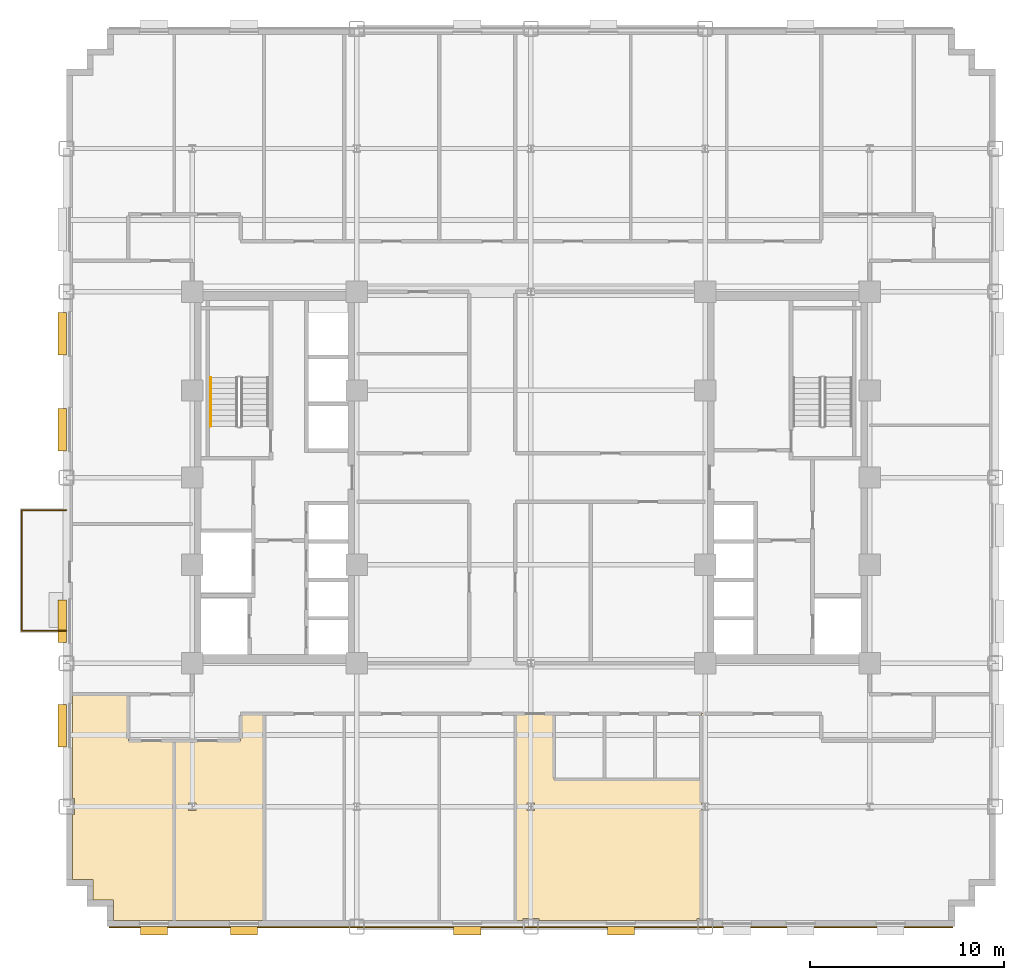
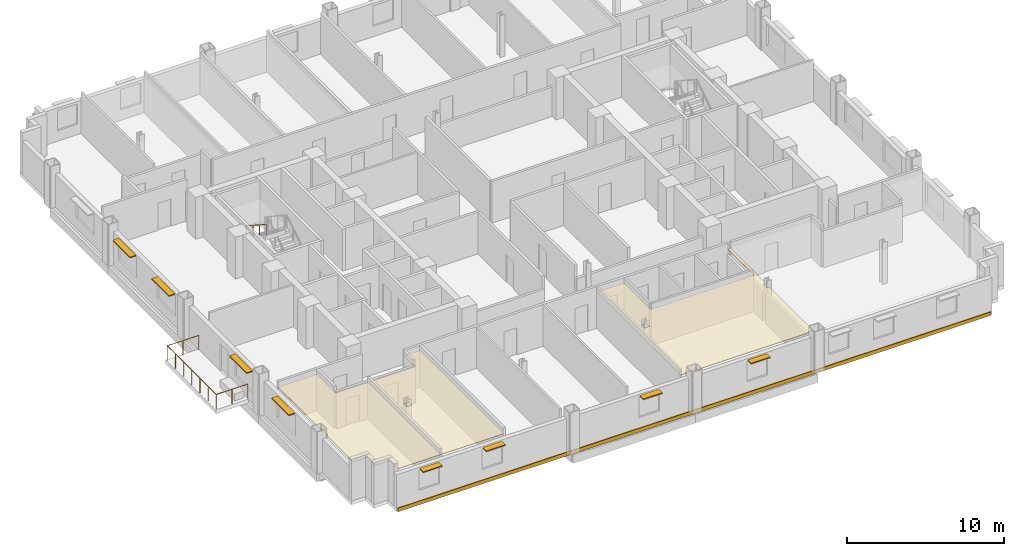
# One storey, part 11 of 14: 8 shading devices, 4 coverings, 2 railings.
"""IFC4 building model written with IfcOpenShell, lengths in metres."""

from ifc_helpers import new_model, si_unit, direction, frame, origin, origin_2d, place, context, subcontext, project, spatial, polyline, rectangle, circle, outline, extrude, source, transform, mapped, material, layer, layer_set, type_object, type_shapes, element, save


model = new_model("IFC4")

# Units and contexts
model_context = context("Model", 3, precision=1e-05, world=origin(), true_north=direction((0.0, 1.0)))
body_context = subcontext(model_context, "Body", "Model", "MODEL_VIEW")
ifc_project = project(units=[si_unit("LENGTHUNIT", "METRE"), si_unit("AREAUNIT", "SQUARE_METRE"), si_unit("VOLUMEUNIT", "CUBIC_METRE"), si_unit("PLANEANGLEUNIT", "RADIAN"), si_unit("MASSUNIT", "GRAM", prefix="KILO")], contexts=[model_context])

# Site, building, storey
site_placement = place(None, origin())
site = spatial("IfcSite", under=ifc_project, at=site_placement, CompositionType="ELEMENT")
building_placement = place(site_placement, origin())
building = spatial("IfcBuilding", under=site, at=building_placement, Name="Nuvemarco Arch Tower", CompositionType="ELEMENT")
storey_placement = place(building_placement, frame((0.0, 0.0, 89.64990234375)))
storey = spatial("IfcBuildingStorey", under=building, at=storey_placement, Name="L23", CompositionType="ELEMENT", Elevation=89.64990234375)

# Coverings
ifc_material_1 = material(Name="Mineral acoustic ceiling tile")
ifc_layer_1 = layer(ifc_material_1, 0.0400390625, Name="COV-ACOUSTIC-CLG")
ifc_layer_set_1 = layer_set([ifc_layer_1], Name="Mineral acoustic ceiling tile")
covering_type_1 = type_object("IfcCoveringType", Name="COV-ACOUSTIC-CLG", PredefinedType="CEILING", material=ifc_layer_set_1)
covering_1_placement = place(storey_placement, frame((0.0, 0.0, 2.72998046875)))
element("IfcCovering", 1, at=covering_1_placement, inside=storey, type_object=covering_type_1, Name="L23 suspended acoustic ceiling 2", PredefinedType="CEILING", context=body_context, shape_type="SweptSolid", body=[
    extrude(outline(polyline([(3.800048828125, -15.60009765625), (6.39990234375, -15.60009765625), (8.800048828125, -15.60009765625), (8.800048828125, -12.199951171875), (9.0, -12.199951171875), (9.0, -16.804931640625), (8.804931640625, -16.804931640625), (8.804931640625, -17.195068359375), (9.0, -17.195068359375), (9.0, -22.784912109375), (8.5849609375, -22.784912109375), (8.5849609375, -22.8798828125), (0.4150390625, -22.8798828125), (0.4150390625, -22.784912109375), (-0.4150390625, -22.784912109375), (-0.4150390625, -22.8798828125), (-0.800048828125, -22.8798828125), (-0.800048828125, -12.199951171875), (1.199951171875, -12.199951171875), (1.199951171875, -15.60009765625), (3.800048828125, -15.60009765625)]), holes=[polyline([(0.195068359375, -17.195068359375), (0.195068359375, -16.804931640625), (-0.195068359375, -16.804931640625), (-0.195068359375, -17.195068359375), (0.195068359375, -17.195068359375)])]), origin(), (0.0, 0.0, 1.0), 0.0400390625),
])
covering_2_placement = place(storey_placement, frame((0.0, 0.0, 2.72998046875)))
element("IfcCovering", 2, at=covering_2_placement, inside=storey, type_object=covering_type_1, Name="L23 suspended acoustic ceiling 4", PredefinedType="CEILING", context=body_context, shape_type="SweptSolid", body=[
    extrude(outline(polyline([(-23.679931640625, -20.780029296875), (-23.679931640625, -17.4150390625), (-23.5849609375, -17.4150390625), (-23.5849609375, -16.5849609375), (-23.679931640625, -16.5849609375), (-23.679931640625, -11.199951171875), (-20.800048828125, -11.199951171875), (-20.800048828125, -13.60009765625), (-18.429931640625, -13.60009765625), (-18.429931640625, -22.8798828125), (-21.580078125, -22.8798828125), (-21.580078125, -21.830078125), (-22.6298828125, -21.830078125), (-22.6298828125, -20.780029296875), (-23.679931640625, -20.780029296875)])), origin(), (0.0, 0.0, 1.0), 0.0400390625),
])
covering_3_placement = place(storey_placement, frame((0.0, 0.0, 2.72998046875)))
element("IfcCovering", 3, at=covering_3_placement, inside=storey, type_object=covering_type_1, Name="L23 suspended acoustic ceiling 7", PredefinedType="CEILING", context=body_context, shape_type="SweptSolid", body=[
    extrude(outline(polyline([(-13.7900390625, -12.199951171875), (-13.7900390625, -22.8798828125), (-18.429931640625, -22.8798828125), (-18.429931640625, -13.60009765625), (-15.0, -13.60009765625), (-15.0, -12.199951171875), (-13.7900390625, -12.199951171875)]), holes=[polyline([(-17.304931640625, -16.804931640625), (-17.695068359375, -16.804931640625), (-17.695068359375, -17.195068359375), (-17.304931640625, -17.195068359375), (-17.304931640625, -16.804931640625)])]), origin(), (0.0, 0.0, 1.0), 0.0400390625),
])

# Railings
ifc_material_2 = material(Name="Brushed stainless steel handrail", Category="steel")
railing_type_1 = type_object("IfcRailingType", Name="RL-HANDRAIL-900", PredefinedType="HANDRAIL", material=ifc_material_2)
railing_1_placement = place(storey_placement, frame((-16.550048828125, 5.169921875, 2.007568359375)))
element("IfcRailing", 4, at=railing_1_placement, inside=storey, type_object=railing_type_1, Name="L23 ST-1 stair handrail 2", PredefinedType="HANDRAIL", context=body_context, shape_type="SweptSolid", body=[
    extrude(circle(Radius=0.02392578125, at=origin_2d()), frame((0.0, 0.0, 0.8759765625), z_axis=(0.0, -0.837749427056, 0.546054848405), x_axis=(1.0, 0.0, 0.0)), (0.0, 0.0, 1.0), 3.008056640625),
    extrude(circle(Radius=0.02099609375, at=origin_2d()), origin(), (0.0, 0.0, 1.0), 0.851806640625),
    extrude(circle(Radius=0.02099609375, at=origin_2d()), frame((0.0, -0.840087890625, 0.547607421875)), (0.0, 0.0, 1.0), 0.851806640625),
    extrude(circle(Radius=0.02099609375, at=origin_2d()), frame((0.0, -1.679931640625, 1.094970703125)), (0.0, 0.0, 1.0), 0.851806640625),
    extrude(circle(Radius=0.02099609375, at=origin_2d()), frame((0.0, -2.52001953125, 1.642578125)), (0.0, 0.0, 1.0), 0.851806640625),
])
ifc_material_3 = material(Name="Dark anodised balustrade steel S355", Category="steel")
railing_type_2 = type_object("IfcRailingType", Name="RL-TERR-GUARD", PredefinedType="BALUSTRADE", material=ifc_material_3)
railing_2_placement = place(storey_placement, frame((-24.0, -7.919921875, 0.0)))
element("IfcRailing", 5, at=railing_2_placement, inside=storey, type_object=railing_type_2, Name="L23 spiral terrace perimeter balustrade guard", PredefinedType="BALUSTRADE", context=body_context, shape_type="SweptSolid", body=[
    extrude(circle(Radius=0.02392578125, at=origin_2d()), frame((0.0, 0.0, 1.1259765625), z_axis=(-1.0, 0.0, 0.0), x_axis=(0.0, -1.0, 0.0)), (0.0, 0.0, 1.0), 2.320068359375),
    extrude(circle(Radius=0.02392578125, at=origin_2d()), frame((-2.320068359375, 0.0, 1.1259765625), z_axis=(0.0, 1.0, 0.0), x_axis=(-1.0, 0.0, 0.0)), (0.0, 0.0, 1.0), 6.239990234375),
    extrude(circle(Radius=0.02392578125, at=origin_2d()), frame((-2.320068359375, 6.239990234375, 1.1259765625), z_axis=(1.0, 0.0, 0.0), x_axis=(0.0, 1.0, 0.0)), (0.0, 0.0, 1.0), 2.320068359375),
    extrude(circle(Radius=0.02099609375, at=origin_2d()), origin(), (0.0, 0.0, 1.0), 1.101806640625),
    extrude(circle(Radius=0.02099609375, at=origin_2d()), frame((-1.16015625, 0.0, 0.0)), (0.0, 0.0, 1.0), 1.101806640625),
    extrude(circle(Radius=0.02099609375, at=origin_2d()), frame((-2.320068359375, 0.0, 0.0)), (0.0, 0.0, 1.0), 1.101806640625),
    extrude(circle(Radius=0.02099609375, at=origin_2d()), frame((-2.320068359375, 1.0400390625, 0.0)), (0.0, 0.0, 1.0), 1.101806640625),
    extrude(circle(Radius=0.02099609375, at=origin_2d()), frame((-2.320068359375, 2.080078125, 0.0)), (0.0, 0.0, 1.0), 1.101806640625),
    extrude(circle(Radius=0.02099609375, at=origin_2d()), frame((-2.320068359375, 3.1201171875, 0.0)), (0.0, 0.0, 1.0), 1.101806640625),
    extrude(circle(Radius=0.02099609375, at=origin_2d()), frame((-2.320068359375, 4.159912109375, 0.0)), (0.0, 0.0, 1.0), 1.101806640625),
    extrude(circle(Radius=0.02099609375, at=origin_2d()), frame((-2.320068359375, 5.199951171875, 0.0)), (0.0, 0.0, 1.0), 1.101806640625),
    extrude(circle(Radius=0.02099609375, at=origin_2d()), frame((-2.320068359375, 6.239990234375, 0.0)), (0.0, 0.0, 1.0), 1.101806640625),
    extrude(circle(Radius=0.02099609375, at=origin_2d()), frame((-1.16015625, 6.239990234375, 0.0)), (0.0, 0.0, 1.0), 1.101806640625),
    extrude(circle(Radius=0.02099609375, at=origin_2d()), frame((0.0, 6.239990234375, 0.0)), (0.0, 0.0, 1.0), 1.101806640625),
])

# Shading devices
ifc_material_4 = material(Name="Anodised aluminium 6063-T6", Category="aluminium")
shading_device_type_1 = type_object("IfcShadingDeviceType", Name="SHD-BRISE-SOLEIL", PredefinedType="USERDEFINED", material=ifc_material_4)
shared_shape_1 = source(origin(), body_context, "Body", "SweptSolid", [
    extrude(rectangle(XDim=2.199951171875, YDim=0.449951171875, at=origin_2d()), origin(), (0.0, 0.0, 1.0), 0.080078125),
])
type_shapes(shading_device_type_1, [shared_shape_1])
for number, where, z_axis, x_axis, name in (
    (6, (-24.215087890625, -12.81494140625, 2.425048828125), (0.0, 0.0, 1.0), (0.0, 1.0, 0.0), "L23 horizontal brise-soleil sunshade"),
    (7, (-24.215087890625, -7.4189453125, 2.425048828125), (0.0, 0.0, 1.0), (0.0, 1.0, 0.0), "L23 horizontal brise-soleil sunshade"),
    (8, (-24.215087890625, 2.472900390625, 2.425048828125), (0.0, 0.0, 1.0), (0.0, 1.0, 0.0), "L23 horizontal brise-soleil sunshade"),
    (9, (-24.215087890625, 7.4189453125, 2.425048828125), (0.0, 0.0, 1.0), (0.0, 1.0, 0.0), "L23 horizontal brise-soleil sunshade"),
):
    element("IfcShadingDevice", number, at=place(storey_placement, frame(where, z_axis=z_axis, x_axis=x_axis)), inside=storey, type_object=shading_device_type_1, Name=name, ObjectType="SUNSHADE", PredefinedType="USERDEFINED", context=body_context, shape_type="MappedRepresentation", body=[
        mapped(shared_shape_1, transform((0.0, 0.0, 0.0), scale=1.0)),
    ])
shading_device_type_2 = type_object("IfcShadingDeviceType", Name="SHD-BRISE-NARROW", PredefinedType="USERDEFINED", material=ifc_material_4)
shared_shape_2 = source(origin(), body_context, "Body", "SweptSolid", [
    extrude(rectangle(XDim=1.39990234375, YDim=0.449951171875, at=origin_2d()), origin(), (0.0, 0.0, 1.0), 0.080078125),
])
type_shapes(shading_device_type_2, [shared_shape_2])
for number, where, z_axis, x_axis, name in (
    (10, (-19.477783203125, -23.4150390625, 2.405029296875), (0.0, 0.0, 1.0), (1.0, 0.0, 0.0), "L23 horizontal brise-soleil sunshade"),
    (11, (-14.833251953125, -23.4150390625, 2.405029296875), (0.0, 0.0, 1.0), (1.0, 0.0, 0.0), "L23 horizontal brise-soleil sunshade"),
    (12, (-3.29443359375, -23.4150390625, 2.405029296875), (0.0, 0.0, 1.0), (1.0, 0.0, 0.0), "L23 horizontal brise-soleil sunshade"),
    (13, (4.644287109375, -23.4150390625, 2.405029296875), (0.0, 0.0, 1.0), (1.0, 0.0, 0.0), "L23 horizontal brise-soleil sunshade"),
):
    element("IfcShadingDevice", number, at=place(storey_placement, frame(where, z_axis=z_axis, x_axis=x_axis)), inside=storey, type_object=shading_device_type_2, Name=name, ObjectType="SUNSHADE", PredefinedType="USERDEFINED", context=body_context, shape_type="MappedRepresentation", body=[
        mapped(shared_shape_2, transform((0.0, 0.0, 0.0), scale=1.0)),
    ])

# Covering
ifc_material_5 = material(Name="Precast concrete C45/55", Category="concrete")
ifc_layer_2 = layer(ifc_material_5, 0.06005859375, Name="COV-SPANDREL-CLAD")
ifc_layer_set_2 = layer_set([ifc_layer_2], Name="Precast concrete C45/55")
covering_type_2 = type_object("IfcCoveringType", Name="COV-SPANDREL-CLAD", PredefinedType="CLADDING", material=ifc_layer_set_2)
shared_shape_3 = source(origin(), body_context, "Body", "SweptSolid", [
    extrude(rectangle(XDim=43.60009765625, YDim=0.06005859375, at=origin_2d()), origin(), (0.0, 0.0, 1.0), 0.280029296875),
])
type_shapes(covering_type_2, [shared_shape_3])
covering_4_placement = place(storey_placement, frame((0.0, -23.22900390625, -0.27978515625), z_axis=(0.0, 0.0, 1.0), x_axis=(1.0, 0.0, 0.0)))
element("IfcCovering", 14, at=covering_4_placement, inside=storey, type_object=covering_type_2, Name="L23 precast spandrel edge cladding south", PredefinedType="CLADDING", context=body_context, shape_type="MappedRepresentation", body=[
    mapped(shared_shape_3, transform((0.0, 0.0, 0.0), scale=1.0)),
])

save(model, "model.ifc")
